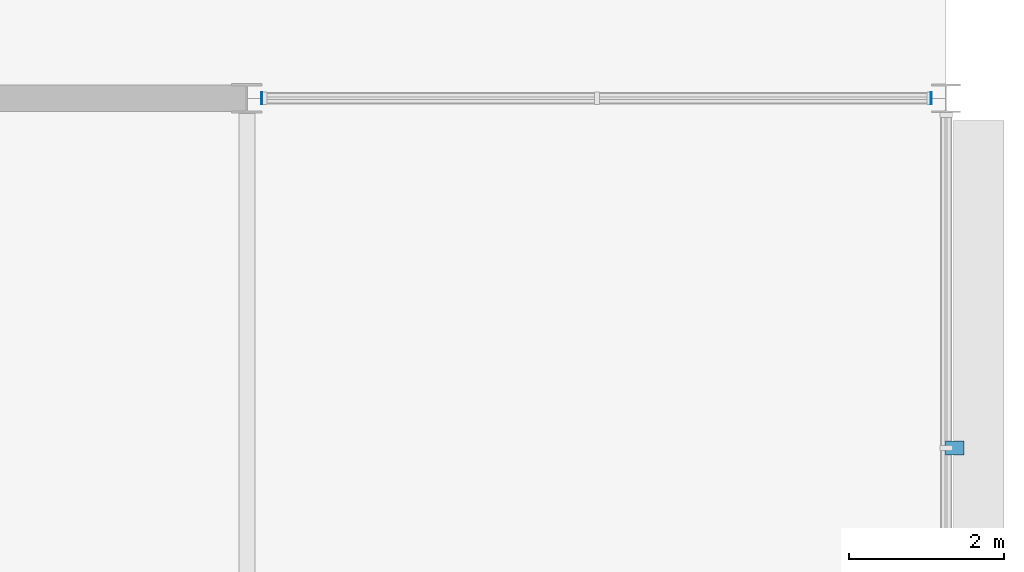
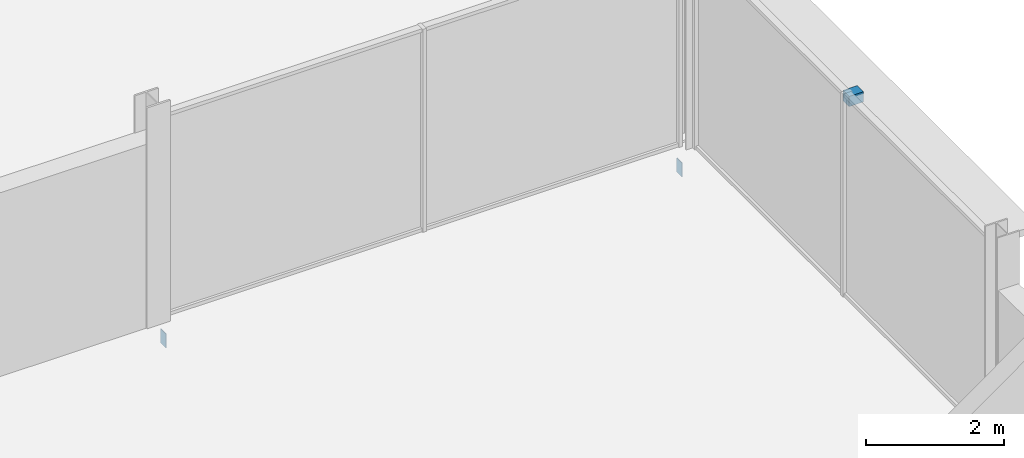
# One storey, part 88 of 105: 3 discrete accessories.
"""IFC4 building model written with IfcOpenShell, lengths in metres."""

from ifc_helpers import new_model, si_unit, direction, frame, origin, origin_2d, place, context, subcontext, project, spatial, polyline, rectangle, outline, extrude, material, layer, layer_set, type_object, element, save


model = new_model("IFC4")

# Units and contexts
model_context = context("Model", 3, precision=1e-05, world=origin(), true_north=direction((0.0, 1.0)))
body_context = subcontext(model_context, "Body", "Model", "MODEL_VIEW")
ifc_project = project(units=[si_unit("LENGTHUNIT", "METRE"), si_unit("AREAUNIT", "SQUARE_METRE"), si_unit("VOLUMEUNIT", "CUBIC_METRE"), si_unit("PLANEANGLEUNIT", "RADIAN"), si_unit("MASSUNIT", "GRAM", prefix="KILO")], contexts=[model_context])

# Site, building, storey
site_placement = place(None, origin())
site = spatial("IfcSite", under=ifc_project, at=site_placement, CompositionType="ELEMENT")
building_placement = place(site_placement, origin())
building = spatial("IfcBuilding", under=site, at=building_placement, Name="Kisiwana Market Hall", CompositionType="ELEMENT")
storey_placement = place(building_placement, frame((0.0, 0.0, 21.60009765625)))
storey = spatial("IfcBuildingStorey", under=building, at=storey_placement, Name="L04", CompositionType="ELEMENT", Elevation=21.60009765625)

# Discrete accessories
ifc_material_1 = material(Name="Steel S355", Category="steel")
discrete_accessory_type_1 = type_object("IfcDiscreteAccessoryType", Name="ACC-BRACKET-STL", PredefinedType="BRACKET", material=ifc_material_1)
discrete_accessory_1_placement = place(storey_placement, frame((198.110107421875, 106.5, 3.375), z_axis=(0.0, 0.0, 1.0), x_axis=(0.0, 1.0, 0.0)))
element("IfcDiscreteAccessory", 1, at=discrete_accessory_1_placement, inside=storey, type_object=discrete_accessory_type_1, Name="Sunshade steel bracket BRK-075", PredefinedType="BRACKET", context=body_context, shape_type="SweptSolid", body=[
    extrude(rectangle(XDim=0.179931640625, YDim=0.239990234375, at=origin_2d()), origin(), (0.0, 0.0, 1.0), 0.179931640625),
])
ifc_material_2 = material(Name="Steel S355", Category="steel")
ifc_layer = layer(ifc_material_2, 0.011962890625)
ifc_layer_set = layer_set([ifc_layer], Name="ACC-ENDCAP-STL")
discrete_accessory_type_2 = type_object("IfcDiscreteAccessoryType", Name="ACC-ENDCAP-STL", PredefinedType="USERDEFINED", material=ifc_layer_set)
discrete_accessory_2_placement = place(storey_placement, frame((0.0, 0.0, -0.5419921875)))
element("IfcDiscreteAccessory", 2, at=discrete_accessory_2_placement, inside=storey, type_object=discrete_accessory_type_2, Name="End cap plate EC-0066", ObjectType="End cap plate", PredefinedType="USERDEFINED", context=body_context, shape_type="SweptSolid", body=[
    extrude(outline(polyline([(197.804443359375, 110.925048828125), (197.81640625, 110.925048828125), (197.81640625, 111.074951171875), (197.804443359375, 111.074951171875), (197.804443359375, 110.925048828125)])), origin(), (0.0, 0.0, 1.0), 0.25),
])
discrete_accessory_3_placement = place(storey_placement, frame((0.0, 0.0, -0.5419921875)))
element("IfcDiscreteAccessory", 3, at=discrete_accessory_3_placement, inside=storey, type_object=discrete_accessory_type_2, Name="End cap plate EC-0067", ObjectType="End cap plate", PredefinedType="USERDEFINED", context=body_context, shape_type="SweptSolid", body=[
    extrude(outline(polyline([(189.195556640625, 110.925048828125), (189.195556640625, 111.074951171875), (189.18359375, 111.074951171875), (189.18359375, 110.925048828125), (189.195556640625, 110.925048828125)])), origin(), (0.0, 0.0, 1.0), 0.25),
])

save(model, "model.ifc")
